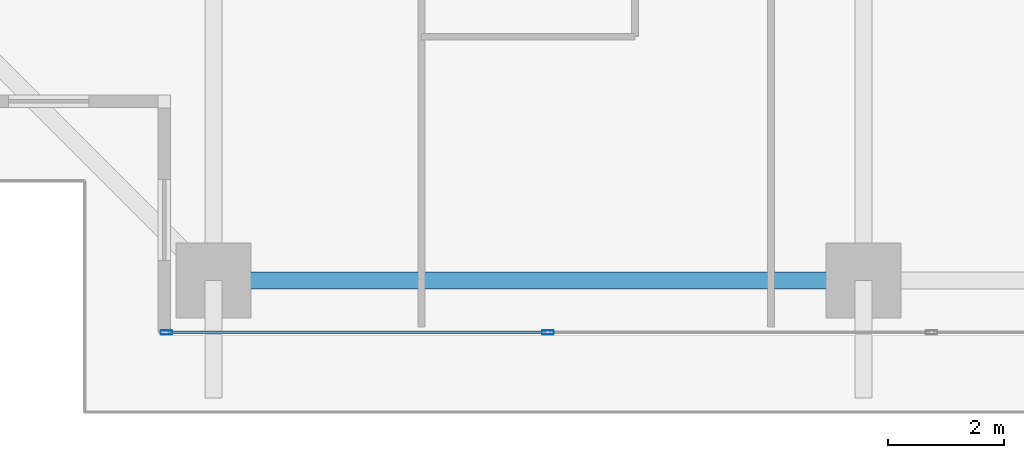
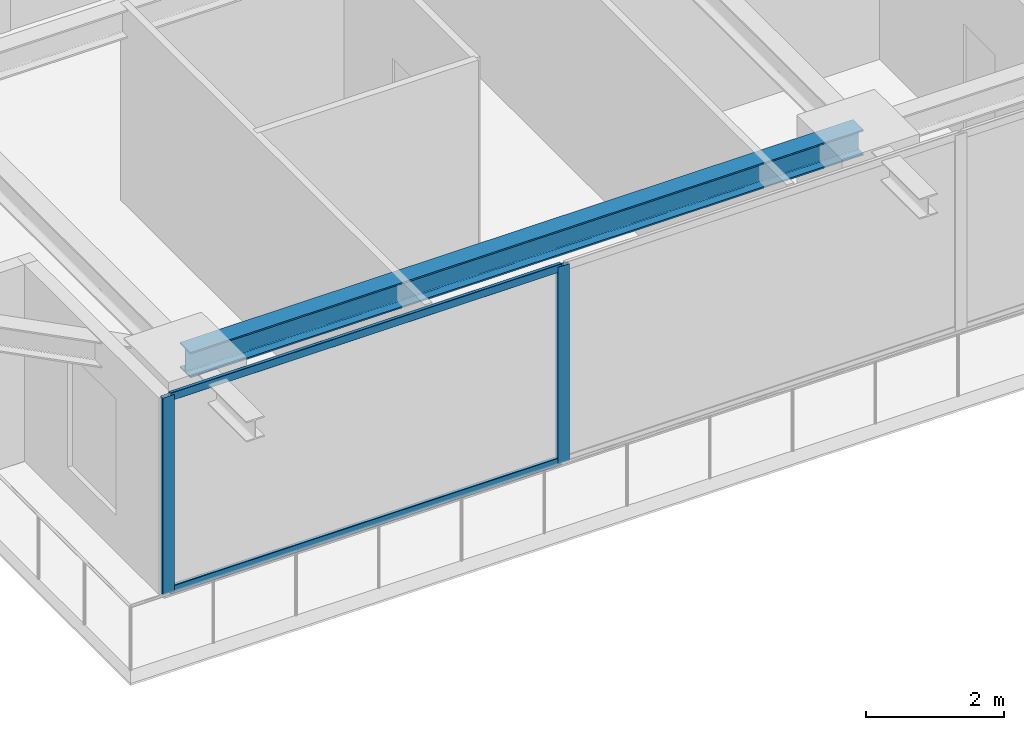
# One storey, part 2 of 34: 4 members, 1 beam, 1 element without a shape of its own.
"""IFC4 building model written with IfcOpenShell, lengths in metres."""

from ifc_helpers import new_model, si_unit, direction, frame, origin, origin_2d, place, context, subcontext, project, spatial, hollow_rectangle, i_section, extrude, source, transform, mapped, material, layer, layer_set, material_profile, profile_set, type_object, element, aggregate, save


model = new_model("IFC4")

# Units and contexts
model_context = context("Model", 3, precision=1e-05, world=origin(), true_north=direction((0.0, 1.0)))
body_context = subcontext(model_context, "Body", "Model", "MODEL_VIEW")
ifc_project = project(units=[si_unit("LENGTHUNIT", "METRE"), si_unit("AREAUNIT", "SQUARE_METRE"), si_unit("VOLUMEUNIT", "CUBIC_METRE"), si_unit("PLANEANGLEUNIT", "RADIAN"), si_unit("MASSUNIT", "GRAM", prefix="KILO")], contexts=[model_context])

# Site, building, storey
site_placement = place(None, origin())
site = spatial("IfcSite", under=ifc_project, at=site_placement, CompositionType="ELEMENT")
building_placement = place(site_placement, origin())
building = spatial("IfcBuilding", under=site, at=building_placement, Name="Serunith Strait Residences", CompositionType="ELEMENT")
storey_placement = place(building_placement, frame((0.0, 0.0, 135.14990234375)))
storey = spatial("IfcBuildingStorey", under=building, at=storey_placement, Name="L33", CompositionType="ELEMENT", Elevation=135.14990234375)

# Beam
ifc_material_1 = material(Name="Steel S355J2", Category="steel")
ifc_material_profile_1 = material_profile(ifc_material_1, i_section(OverallWidth=0.300048828125, OverallDepth=0.449951171875, WebThickness=0.013916015625, FlangeThickness=0.02587890625, FilletRadius=0.027099609375, at=origin_2d()), Name="HEB 450")
ifc_profile_set_1 = profile_set([ifc_material_profile_1], Name="Steel S355J2")
beam_type = type_object("IfcBeamType", Name="BM-HEB450", PredefinedType="BEAM", material=ifc_profile_set_1)
shared_shape_1 = source(origin(), body_context, "Body", "SweptSolid", [
    extrude(i_section(OverallWidth=0.300048828125, OverallDepth=0.449951171875, WebThickness=0.013916015625, FlangeThickness=0.02587890625, FilletRadius=0.027099609375, at=origin_2d()), origin(), (0.0, 0.0, 1.0), 11.25),
])
beam_placement = place(storey_placement, frame((16.64990234375, 2.300048828125, 3.26220703125), z_axis=(1.0, 0.0, 0.0), x_axis=(0.0, 1.0, 0.0)))
element("IfcBeam", 1, at=beam_placement, inside=storey, type_object=beam_type, Name="L33 Perimeter Ring Beam 01", PredefinedType="BEAM", context=body_context, shape_type="MappedRepresentation", body=[
    mapped(shared_shape_1, transform((0.0, 0.0, 0.0), scale=1.0)),
])

# Curtain wall, members
ifc_material_2 = material(Name="Pale-Champagne Anodised Aluminium", Category="aluminium")
ifc_layer = layer(ifc_material_2, 0.199951171875, Name="Pale-Champagne Anodised Aluminium")
ifc_layer_set = layer_set([ifc_layer], Name="Pale-Champagne Anodised Aluminium")
curtain_wall_type = type_object("IfcCurtainWallType", Name="CW-SYS2", PredefinedType="NOTDEFINED", material=ifc_layer_set)
curtain_wall_placement = place(storey_placement, origin())
curtain_wall = element("IfcCurtainWall", 2, at=curtain_wall_placement, inside=storey, type_object=curtain_wall_type, Name="L33 S Unitised Fritted Curtain Wall", PredefinedType="NOTDEFINED")
ifc_material_profile_2 = material_profile(ifc_material_2, hollow_rectangle(XDim=0.070068359375, YDim=0.199951171875, WallThickness=0.00390625, InnerFilletRadius=0.006103515625, OuterFilletRadius=0.010009765625, at=origin_2d()), Name="ALU 200x70x4")
ifc_profile_set_2 = profile_set([ifc_material_profile_2], Name="Pale-Champagne Anodised Aluminium")
member_type_1 = type_object("IfcMemberType", Name="CW-SYS2-MULL", PredefinedType="MULLION", material=ifc_profile_set_2)
shared_shape_2 = source(origin(), body_context, "Body", "SweptSolid", [
    extrude(hollow_rectangle(XDim=0.070068359375, YDim=0.199951171875, WallThickness=0.00390625, InnerFilletRadius=0.006103515625, OuterFilletRadius=0.010009765625, at=origin_2d()), origin(), (0.0, 0.0, 1.0), 3.47509765625),
])
member_1_placement = place(storey_placement, frame((15.8349609375, 1.39990234375, 0.0), z_axis=(0.0, 0.0, 1.0), x_axis=(0.0, 1.0, 0.0)))
member_1 = element("IfcMember", 3, at=member_1_placement, type_object=member_type_1, Name="CW-2 mullion 1", PredefinedType="MULLION", context=body_context, shape_type="MappedRepresentation", body=[
    mapped(shared_shape_2, transform((0.0, 0.0, 0.0), scale=1.0)),
])
member_2_placement = place(storey_placement, frame((22.43994140625, 1.39990234375, 0.0), z_axis=(0.0, 0.0, 1.0), x_axis=(0.0, 1.0, 0.0)))
member_2 = element("IfcMember", 4, at=member_2_placement, type_object=member_type_1, Name="CW-2 mullion 2", PredefinedType="MULLION", context=body_context, shape_type="MappedRepresentation", body=[
    mapped(shared_shape_2, transform((0.0, 0.0, 0.0), scale=1.0)),
])
ifc_material_profile_3 = material_profile(ifc_material_2, hollow_rectangle(XDim=0.06005859375, YDim=0.139892578125, WallThickness=0.00341796875, InnerFilletRadius=0.00537109375, OuterFilletRadius=0.0087890625, at=origin_2d()), Name="ALU 140x60x3.5")
ifc_profile_set_3 = profile_set([ifc_material_profile_3], Name="Pale-Champagne Anodised Aluminium")
member_type_2 = type_object("IfcMemberType", Name="CW-SYS2-TRAN", PredefinedType="USERDEFINED", material=ifc_profile_set_3)
shared_shape_3 = source(origin(), body_context, "Body", "SweptSolid", [
    extrude(hollow_rectangle(XDim=0.06005859375, YDim=0.139892578125, WallThickness=0.00341796875, InnerFilletRadius=0.00537109375, OuterFilletRadius=0.0087890625, at=origin_2d()), origin(), (0.0, 0.0, 1.0), 6.534912109375),
])
member_3_placement = place(storey_placement, frame((15.8701171875, 1.39990234375, 0.030029296875), z_axis=(1.0, 0.0, 0.0), x_axis=(0.0, 1.0, 0.0)))
member_3 = element("IfcMember", 5, at=member_3_placement, type_object=member_type_2, Name="CW-2 transom 1.1", ObjectType="TRANSOM", PredefinedType="USERDEFINED", context=body_context, shape_type="MappedRepresentation", body=[
    mapped(shared_shape_3, transform((0.0, 0.0, 0.0), scale=1.0)),
])
member_4_placement = place(storey_placement, frame((15.8701171875, 1.39990234375, 3.445068359375), z_axis=(1.0, 0.0, 0.0), x_axis=(0.0, 1.0, 0.0)))
member_4 = element("IfcMember", 6, at=member_4_placement, type_object=member_type_2, Name="CW-2 transom 1.2", ObjectType="TRANSOM", PredefinedType="USERDEFINED", context=body_context, shape_type="MappedRepresentation", body=[
    mapped(shared_shape_3, transform((0.0, 0.0, 0.0), scale=1.0)),
])
aggregate(curtain_wall, [member_1, member_2, member_3, member_4])

save(model, "model.ifc")
